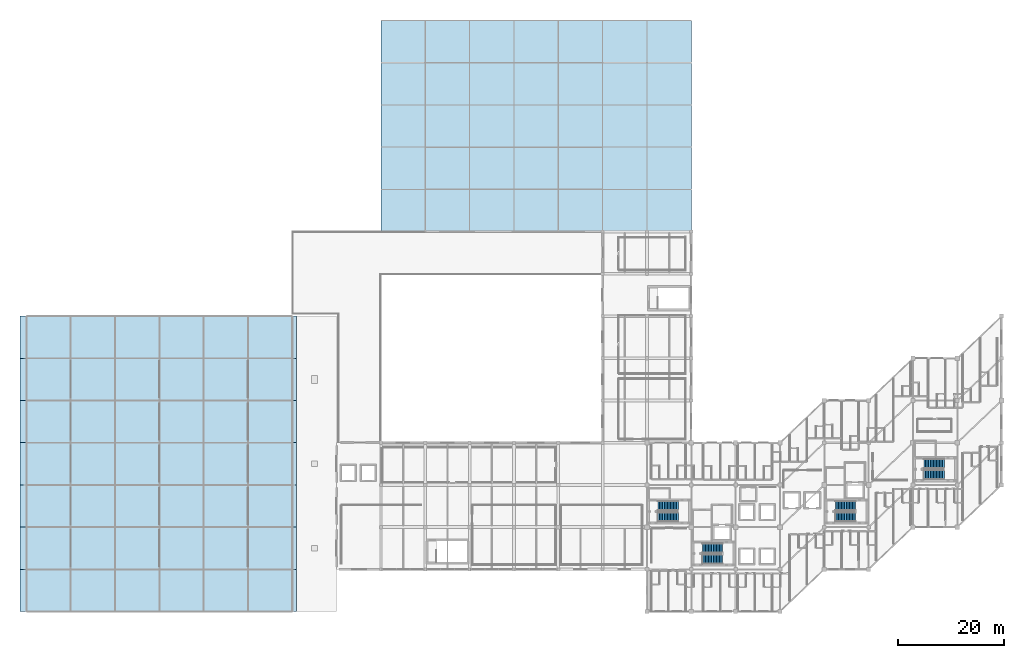
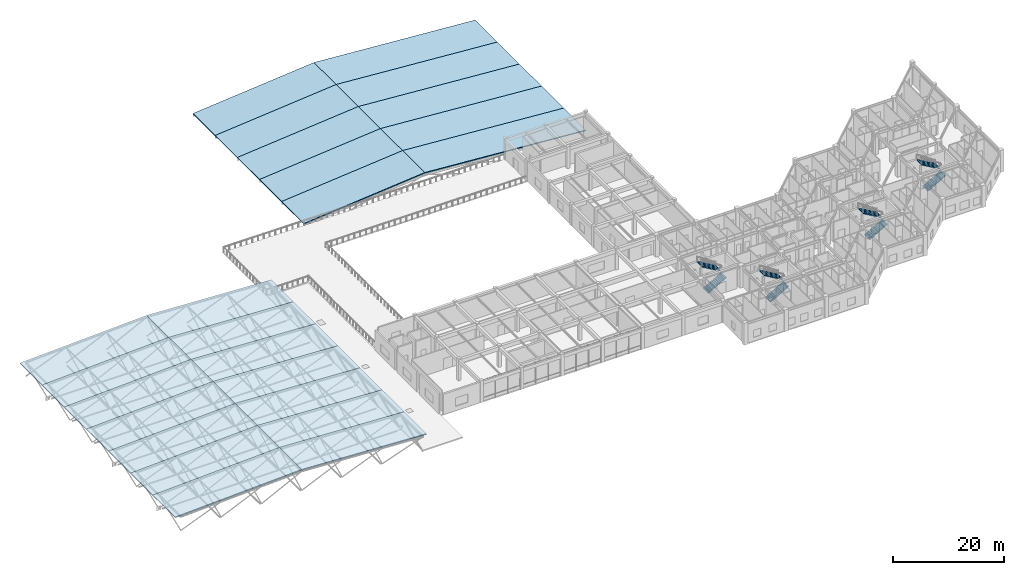
# One storey, part 33 of 37: 24 roofs, 8 stair flights, 4 elements without a shape of their own.
"""IFC4 building model written with IfcOpenShell, lengths in metres."""

from ifc_helpers import new_model, si_unit, direction, frame, origin, place, context, subcontext, project, spatial, polyline, outline, extrude, material, layer, layer_set, type_object, element, aggregate, save


model = new_model("IFC4")

# Units and contexts
model_context = context("Model", 3, precision=1e-05, world=origin(), true_north=direction((0.0, 1.0)))
body_context = subcontext(model_context, "Body", "Model", "MODEL_VIEW")
ifc_project = project(units=[si_unit("LENGTHUNIT", "METRE"), si_unit("AREAUNIT", "SQUARE_METRE"), si_unit("VOLUMEUNIT", "CUBIC_METRE"), si_unit("PLANEANGLEUNIT", "RADIAN"), si_unit("MASSUNIT", "GRAM", prefix="KILO")], contexts=[model_context])

# Site, building, storey
site_placement = place(None, origin())
site = spatial("IfcSite", under=ifc_project, at=site_placement, CompositionType="ELEMENT")
building_placement = place(site_placement, origin())
building = spatial("IfcBuilding", under=site, at=building_placement, Name="Naruveol Harbour Congress Hotel", CompositionType="ELEMENT")
storey_placement = place(building_placement, frame((0.0, 0.0, 16.199951171875)))
storey = spatial("IfcBuildingStorey", under=building, at=storey_placement, Name="L03", CompositionType="ELEMENT", Elevation=16.199951171875)

# Stair, stair flights
ifc_material_1 = material(Name="Concrete C40/50", Category="concrete")
stair_type = type_object("IfcStairType", Name="RC DOG LEG ESCAPE STAIR 1800W H4800", PredefinedType="HALF_TURN_STAIR", material=ifc_material_1)
stair_1_placement = place(storey_placement, origin())
stair_1 = element("IfcStair", 1, at=stair_1_placement, inside=storey, type_object=stair_type, Name="Special Escape Stair ST1 L03 to L04", PredefinedType="HALF_TURN_STAIR")
ifc_material_2 = material(Name="Concrete C40/50", Category="concrete")
stair_flight_type = type_object("IfcStairFlightType", Name="RC STRAIGHT STAIR FLIGHT 1800W R14", PredefinedType="STRAIGHT", material=ifc_material_2)
stair_flight_1_placement = place(storey_placement, frame((128.10009765625, 9.919921875, 0.0), z_axis=(0.0, 0.0, 1.0), x_axis=(1.0, 0.0, 0.0)))
stair_flight_1 = element("IfcStairFlight", 2, at=stair_flight_1_placement, type_object=stair_flight_type, Name="ST1 L03 lower flight", NumberOfRisers=14, NumberOfTreads=13, PredefinedType="STRAIGHT", RiserHeight=0.171429, TreadLength=0.295, context=body_context, shape_type="SweptSolid", body=[
    extrude(outline(polyline([(0.0, 0.0), (0.0, 0.17138671875), (0.294921875, 0.17138671875), (0.294921875, 0.3427734375), (0.590087890625, 0.3427734375), (0.590087890625, 0.514404296875), (0.885009765625, 0.514404296875), (0.885009765625, 0.685791015625), (1.179931640625, 0.685791015625), (1.179931640625, 0.857177734375), (1.47509765625, 0.857177734375), (1.47509765625, 1.028564453125), (1.77001953125, 1.028564453125), (1.77001953125, 1.199951171875), (2.06494140625, 1.199951171875), (2.06494140625, 1.371337890625), (2.360107421875, 1.371337890625), (2.360107421875, 1.54296875), (2.655029296875, 1.54296875), (2.655029296875, 1.71435546875), (2.949951171875, 1.71435546875), (2.949951171875, 1.8857421875), (3.2451171875, 1.8857421875), (3.2451171875, 2.05712890625), (3.5400390625, 2.05712890625), (3.5400390625, 2.228515625), (3.8349609375, 2.228515625), (3.8349609375, 2.39990234375), (3.8349609375, 2.043701171875), (0.318359375, 0.0), (0.0, 0.0)])), frame((0.0, 0.89990234375, 0.0), z_axis=(0.0, -1.0, 0.0), x_axis=(1.0, 0.0, 0.0)), (0.0, 0.0, 1.0), 1.800048828125),
])
stair_flight_2_placement = place(storey_placement, frame((131.93505859375, 12.0400390625, 2.400146484375), z_axis=(0.0, 0.0, 1.0), x_axis=(-1.0, 0.0, 0.0)))
stair_flight_2 = element("IfcStairFlight", 3, at=stair_flight_2_placement, type_object=stair_flight_type, Name="ST1 L03 upper flight", NumberOfRisers=14, NumberOfTreads=13, PredefinedType="STRAIGHT", RiserHeight=0.171429, TreadLength=0.295, context=body_context, shape_type="SweptSolid", body=[
    extrude(outline(polyline([(0.0, 0.0), (0.0, 0.17138671875), (0.294921875, 0.17138671875), (0.294921875, 0.3427734375), (0.590087890625, 0.3427734375), (0.590087890625, 0.514404296875), (0.885009765625, 0.514404296875), (0.885009765625, 0.685791015625), (1.179931640625, 0.685791015625), (1.179931640625, 0.857177734375), (1.47509765625, 0.857177734375), (1.47509765625, 1.028564453125), (1.77001953125, 1.028564453125), (1.77001953125, 1.199951171875), (2.06494140625, 1.199951171875), (2.06494140625, 1.371337890625), (2.360107421875, 1.371337890625), (2.360107421875, 1.54296875), (2.655029296875, 1.54296875), (2.655029296875, 1.71435546875), (2.949951171875, 1.71435546875), (2.949951171875, 1.8857421875), (3.2451171875, 1.8857421875), (3.2451171875, 2.05712890625), (3.5400390625, 2.05712890625), (3.5400390625, 2.228515625), (3.8349609375, 2.228515625), (3.8349609375, 2.39990234375), (3.8349609375, 2.043701171875), (0.318359375, 0.0), (0.0, 0.0)])), frame((0.0, 0.89990234375, 0.0), z_axis=(0.0, -1.0, 0.0), x_axis=(1.0, 0.0, 0.0)), (0.0, 0.0, 1.0), 1.800048828125),
])
aggregate(stair_1, [stair_flight_1, stair_flight_2])

stair_2_placement = place(storey_placement, origin())
stair_2 = element("IfcStair", 4, at=stair_2_placement, inside=storey, type_object=stair_type, Name="Special Escape Stair ST2 L03 to L04", PredefinedType="HALF_TURN_STAIR")
stair_flight_3_placement = place(storey_placement, frame((153.300048828125, 17.919921875, 0.0), z_axis=(0.0, 0.0, 1.0), x_axis=(1.0, 0.0, 0.0)))
stair_flight_3 = element("IfcStairFlight", 5, at=stair_flight_3_placement, type_object=stair_flight_type, Name="ST2 L03 lower flight", NumberOfRisers=14, NumberOfTreads=13, PredefinedType="STRAIGHT", RiserHeight=0.171429, TreadLength=0.295, context=body_context, shape_type="SweptSolid", body=[
    extrude(outline(polyline([(0.0, 0.0), (0.0, 0.17138671875), (0.294921875, 0.17138671875), (0.294921875, 0.3427734375), (0.590087890625, 0.3427734375), (0.590087890625, 0.514404296875), (0.885009765625, 0.514404296875), (0.885009765625, 0.685791015625), (1.179931640625, 0.685791015625), (1.179931640625, 0.857177734375), (1.47509765625, 0.857177734375), (1.47509765625, 1.028564453125), (1.77001953125, 1.028564453125), (1.77001953125, 1.199951171875), (2.06494140625, 1.199951171875), (2.06494140625, 1.371337890625), (2.360107421875, 1.371337890625), (2.360107421875, 1.54296875), (2.655029296875, 1.54296875), (2.655029296875, 1.71435546875), (2.949951171875, 1.71435546875), (2.949951171875, 1.8857421875), (3.2451171875, 1.8857421875), (3.2451171875, 2.05712890625), (3.5400390625, 2.05712890625), (3.5400390625, 2.228515625), (3.8349609375, 2.228515625), (3.8349609375, 2.39990234375), (3.8349609375, 2.043701171875), (0.318359375, 0.0), (0.0, 0.0)])), frame((0.0, 0.89990234375, 0.0), z_axis=(0.0, -1.0, 0.0), x_axis=(1.0, 0.0, 0.0)), (0.0, 0.0, 1.0), 1.800048828125),
])
stair_flight_4_placement = place(storey_placement, frame((157.135009765625, 20.0400390625, 2.400146484375), z_axis=(0.0, 0.0, 1.0), x_axis=(-1.0, 0.0, 0.0)))
stair_flight_4 = element("IfcStairFlight", 6, at=stair_flight_4_placement, type_object=stair_flight_type, Name="ST2 L03 upper flight", NumberOfRisers=14, NumberOfTreads=13, PredefinedType="STRAIGHT", RiserHeight=0.171429, TreadLength=0.295, context=body_context, shape_type="SweptSolid", body=[
    extrude(outline(polyline([(0.0, 0.0), (0.0, 0.17138671875), (0.294921875, 0.17138671875), (0.294921875, 0.3427734375), (0.590087890625, 0.3427734375), (0.590087890625, 0.514404296875), (0.885009765625, 0.514404296875), (0.885009765625, 0.685791015625), (1.179931640625, 0.685791015625), (1.179931640625, 0.857177734375), (1.47509765625, 0.857177734375), (1.47509765625, 1.028564453125), (1.77001953125, 1.028564453125), (1.77001953125, 1.199951171875), (2.06494140625, 1.199951171875), (2.06494140625, 1.371337890625), (2.360107421875, 1.371337890625), (2.360107421875, 1.54296875), (2.655029296875, 1.54296875), (2.655029296875, 1.71435546875), (2.949951171875, 1.71435546875), (2.949951171875, 1.8857421875), (3.2451171875, 1.8857421875), (3.2451171875, 2.05712890625), (3.5400390625, 2.05712890625), (3.5400390625, 2.228515625), (3.8349609375, 2.228515625), (3.8349609375, 2.39990234375), (3.8349609375, 2.043701171875), (0.318359375, 0.0), (0.0, 0.0)])), frame((0.0, 0.89990234375, 0.0), z_axis=(0.0, -1.0, 0.0), x_axis=(1.0, 0.0, 0.0)), (0.0, 0.0, 1.0), 1.800048828125),
])
aggregate(stair_2, [stair_flight_3, stair_flight_4])

stair_3_placement = place(storey_placement, origin())
stair_3 = element("IfcStair", 7, at=stair_3_placement, inside=storey, type_object=stair_type, Name="Special Escape Stair ST3 L03 to L04", PredefinedType="HALF_TURN_STAIR")
stair_flight_5_placement = place(storey_placement, frame((119.699951171875, 17.919921875, 0.0), z_axis=(0.0, 0.0, 1.0), x_axis=(1.0, 0.0, 0.0)))
stair_flight_5 = element("IfcStairFlight", 8, at=stair_flight_5_placement, type_object=stair_flight_type, Name="ST3 L03 lower flight", NumberOfRisers=14, NumberOfTreads=13, PredefinedType="STRAIGHT", RiserHeight=0.171429, TreadLength=0.295, context=body_context, shape_type="SweptSolid", body=[
    extrude(outline(polyline([(0.0, 0.0), (0.0, 0.17138671875), (0.294921875, 0.17138671875), (0.294921875, 0.3427734375), (0.590087890625, 0.3427734375), (0.590087890625, 0.514404296875), (0.885009765625, 0.514404296875), (0.885009765625, 0.685791015625), (1.179931640625, 0.685791015625), (1.179931640625, 0.857177734375), (1.47509765625, 0.857177734375), (1.47509765625, 1.028564453125), (1.77001953125, 1.028564453125), (1.77001953125, 1.199951171875), (2.06494140625, 1.199951171875), (2.06494140625, 1.371337890625), (2.360107421875, 1.371337890625), (2.360107421875, 1.54296875), (2.655029296875, 1.54296875), (2.655029296875, 1.71435546875), (2.949951171875, 1.71435546875), (2.949951171875, 1.8857421875), (3.2451171875, 1.8857421875), (3.2451171875, 2.05712890625), (3.5400390625, 2.05712890625), (3.5400390625, 2.228515625), (3.8349609375, 2.228515625), (3.8349609375, 2.39990234375), (3.8349609375, 2.043701171875), (0.318359375, 0.0), (0.0, 0.0)])), frame((0.0, 0.89990234375, 0.0), z_axis=(0.0, -1.0, 0.0), x_axis=(1.0, 0.0, 0.0)), (0.0, 0.0, 1.0), 1.800048828125),
])
stair_flight_6_placement = place(storey_placement, frame((123.534912109375, 20.0400390625, 2.400146484375), z_axis=(0.0, 0.0, 1.0), x_axis=(-1.0, 0.0, 0.0)))
stair_flight_6 = element("IfcStairFlight", 9, at=stair_flight_6_placement, type_object=stair_flight_type, Name="ST3 L03 upper flight", NumberOfRisers=14, NumberOfTreads=13, PredefinedType="STRAIGHT", RiserHeight=0.171429, TreadLength=0.295, context=body_context, shape_type="SweptSolid", body=[
    extrude(outline(polyline([(0.0, 0.0), (0.0, 0.17138671875), (0.294921875, 0.17138671875), (0.294921875, 0.3427734375), (0.590087890625, 0.3427734375), (0.590087890625, 0.514404296875), (0.885009765625, 0.514404296875), (0.885009765625, 0.685791015625), (1.179931640625, 0.685791015625), (1.179931640625, 0.857177734375), (1.47509765625, 0.857177734375), (1.47509765625, 1.028564453125), (1.77001953125, 1.028564453125), (1.77001953125, 1.199951171875), (2.06494140625, 1.199951171875), (2.06494140625, 1.371337890625), (2.360107421875, 1.371337890625), (2.360107421875, 1.54296875), (2.655029296875, 1.54296875), (2.655029296875, 1.71435546875), (2.949951171875, 1.71435546875), (2.949951171875, 1.8857421875), (3.2451171875, 1.8857421875), (3.2451171875, 2.05712890625), (3.5400390625, 2.05712890625), (3.5400390625, 2.228515625), (3.8349609375, 2.228515625), (3.8349609375, 2.39990234375), (3.8349609375, 2.043701171875), (0.318359375, 0.0), (0.0, 0.0)])), frame((0.0, 0.89990234375, 0.0), z_axis=(0.0, -1.0, 0.0), x_axis=(1.0, 0.0, 0.0)), (0.0, 0.0, 1.0), 1.800048828125),
])
aggregate(stair_3, [stair_flight_5, stair_flight_6])

stair_4_placement = place(storey_placement, origin())
stair_4 = element("IfcStair", 10, at=stair_4_placement, inside=storey, type_object=stair_type, Name="Special Escape Stair ST4 L03 to L04", PredefinedType="HALF_TURN_STAIR")
stair_flight_7_placement = place(storey_placement, frame((170.10009765625, 25.919921875, 0.0), z_axis=(0.0, 0.0, 1.0), x_axis=(1.0, 0.0, 0.0)))
stair_flight_7 = element("IfcStairFlight", 11, at=stair_flight_7_placement, type_object=stair_flight_type, Name="ST4 L03 lower flight", NumberOfRisers=14, NumberOfTreads=13, PredefinedType="STRAIGHT", RiserHeight=0.171429, TreadLength=0.295, context=body_context, shape_type="SweptSolid", body=[
    extrude(outline(polyline([(0.0, 0.0), (0.0, 0.17138671875), (0.294921875, 0.17138671875), (0.294921875, 0.3427734375), (0.590087890625, 0.3427734375), (0.590087890625, 0.514404296875), (0.885009765625, 0.514404296875), (0.885009765625, 0.685791015625), (1.179931640625, 0.685791015625), (1.179931640625, 0.857177734375), (1.47509765625, 0.857177734375), (1.47509765625, 1.028564453125), (1.77001953125, 1.028564453125), (1.77001953125, 1.199951171875), (2.06494140625, 1.199951171875), (2.06494140625, 1.371337890625), (2.360107421875, 1.371337890625), (2.360107421875, 1.54296875), (2.655029296875, 1.54296875), (2.655029296875, 1.71435546875), (2.949951171875, 1.71435546875), (2.949951171875, 1.8857421875), (3.2451171875, 1.8857421875), (3.2451171875, 2.05712890625), (3.5400390625, 2.05712890625), (3.5400390625, 2.228515625), (3.8349609375, 2.228515625), (3.8349609375, 2.39990234375), (3.8349609375, 2.043701171875), (0.318359375, 0.0), (0.0, 0.0)])), frame((0.0, 0.89990234375, 0.0), z_axis=(0.0, -1.0, 0.0), x_axis=(1.0, 0.0, 0.0)), (0.0, 0.0, 1.0), 1.800048828125),
])
stair_flight_8_placement = place(storey_placement, frame((173.93505859375, 28.0400390625, 2.400146484375), z_axis=(0.0, 0.0, 1.0), x_axis=(-1.0, 0.0, 0.0)))
stair_flight_8 = element("IfcStairFlight", 12, at=stair_flight_8_placement, type_object=stair_flight_type, Name="ST4 L03 upper flight", NumberOfRisers=14, NumberOfTreads=13, PredefinedType="STRAIGHT", RiserHeight=0.171429, TreadLength=0.295, context=body_context, shape_type="SweptSolid", body=[
    extrude(outline(polyline([(0.0, 0.0), (0.0, 0.17138671875), (0.294921875, 0.17138671875), (0.294921875, 0.3427734375), (0.590087890625, 0.3427734375), (0.590087890625, 0.514404296875), (0.885009765625, 0.514404296875), (0.885009765625, 0.685791015625), (1.179931640625, 0.685791015625), (1.179931640625, 0.857177734375), (1.47509765625, 0.857177734375), (1.47509765625, 1.028564453125), (1.77001953125, 1.028564453125), (1.77001953125, 1.199951171875), (2.06494140625, 1.199951171875), (2.06494140625, 1.371337890625), (2.360107421875, 1.371337890625), (2.360107421875, 1.54296875), (2.655029296875, 1.54296875), (2.655029296875, 1.71435546875), (2.949951171875, 1.71435546875), (2.949951171875, 1.8857421875), (3.2451171875, 1.8857421875), (3.2451171875, 2.05712890625), (3.5400390625, 2.05712890625), (3.5400390625, 2.228515625), (3.8349609375, 2.228515625), (3.8349609375, 2.39990234375), (3.8349609375, 2.043701171875), (0.318359375, 0.0), (0.0, 0.0)])), frame((0.0, 0.89990234375, 0.0), z_axis=(0.0, -1.0, 0.0), x_axis=(1.0, 0.0, 0.0)), (0.0, 0.0, 1.0), 1.800048828125),
])
aggregate(stair_4, [stair_flight_7, stair_flight_8])

# Roofs
ifc_material_3 = material(Name="Steel SN490", Category="steel")
ifc_layer_1 = layer(ifc_material_3, 0.199951171875)
ifc_layer_set_1 = layer_set([ifc_layer_1], Name="Steel SN490")
roof_type_1 = type_object("IfcRoofType", Name="FOLDED STANDING SEAM GABLE ROOF 200", PredefinedType="GABLE_ROOF", material=ifc_layer_set_1)
roof_1_placement = place(storey_placement, frame((67.199951171875, 72.0, 0.449951171875), z_axis=(-0.09481500936, 0.0, 0.995494909078), x_axis=(0.995494909078, 0.0, 0.09481500936)))
element("IfcRoof", 13, at=roof_1_placement, inside=storey, type_object=roof_type_1, Name="Grand Ballroom folded gable roof west bay 1", PredefinedType="GABLE_ROOF", context=body_context, shape_type="SweptSolid", body=[
    extrude(outline(polyline([(0.0, 0.0), (25.313993011995205, 0.0), (25.313993011995205, 8.0), (0.0, 8.0), (0.0, 0.0)])), origin(), (0.0, 0.0, -1.0), 0.199951171875),
])
roof_2_placement = place(storey_placement, frame((92.39990234375, 72.0, 2.85009765625), z_axis=(0.071251170451, 0.0, 0.997458405503), x_axis=(0.997458405503, 0.0, -0.071251170451)))
element("IfcRoof", 14, at=roof_2_placement, inside=storey, type_object=roof_type_1, Name="Grand Ballroom folded gable roof east bay 1", PredefinedType="GABLE_ROOF", context=body_context, shape_type="SweptSolid", body=[
    extrude(outline(polyline([(0.0, 0.0), (33.68571307922684, 0.0), (33.68571307922684, 8.0), (0.0, 8.0), (0.0, 0.0)])), origin(), (0.0, 0.0, -1.0), 0.199951171875),
])
roof_3_placement = place(storey_placement, frame((67.199951171875, 80.0, 0.449951171875), z_axis=(-0.09481500936, 0.0, 0.995494909078), x_axis=(0.995494909078, 0.0, 0.09481500936)))
element("IfcRoof", 15, at=roof_3_placement, inside=storey, type_object=roof_type_1, Name="Grand Ballroom folded gable roof west bay 2", PredefinedType="GABLE_ROOF", context=body_context, shape_type="SweptSolid", body=[
    extrude(outline(polyline([(0.0, 0.0), (25.313993011995205, 0.0), (25.313993011995205, 8.0), (0.0, 8.0), (0.0, 0.0)])), origin(), (0.0, 0.0, -1.0), 0.199951171875),
])
roof_4_placement = place(storey_placement, frame((92.39990234375, 80.0, 2.85009765625), z_axis=(0.071251170451, 0.0, 0.997458405503), x_axis=(0.997458405503, 0.0, -0.071251170451)))
element("IfcRoof", 16, at=roof_4_placement, inside=storey, type_object=roof_type_1, Name="Grand Ballroom folded gable roof east bay 2", PredefinedType="GABLE_ROOF", context=body_context, shape_type="SweptSolid", body=[
    extrude(outline(polyline([(0.0, 0.0), (33.68571307922684, 0.0), (33.68571307922684, 8.0), (0.0, 8.0), (0.0, 0.0)])), origin(), (0.0, 0.0, -1.0), 0.199951171875),
])
roof_5_placement = place(storey_placement, frame((67.199951171875, 88.0, 0.449951171875), z_axis=(-0.09481500936, 0.0, 0.995494909078), x_axis=(0.995494909078, 0.0, 0.09481500936)))
element("IfcRoof", 17, at=roof_5_placement, inside=storey, type_object=roof_type_1, Name="Grand Ballroom folded gable roof west bay 3", PredefinedType="GABLE_ROOF", context=body_context, shape_type="SweptSolid", body=[
    extrude(outline(polyline([(0.0, 0.0), (25.313993011995205, 0.0), (25.313993011995205, 8.0), (0.0, 8.0), (0.0, 0.0)])), origin(), (0.0, 0.0, -1.0), 0.199951171875),
])
roof_6_placement = place(storey_placement, frame((92.39990234375, 88.0, 2.85009765625), z_axis=(0.071251170451, 0.0, 0.997458405503), x_axis=(0.997458405503, 0.0, -0.071251170451)))
element("IfcRoof", 18, at=roof_6_placement, inside=storey, type_object=roof_type_1, Name="Grand Ballroom folded gable roof east bay 3", PredefinedType="GABLE_ROOF", context=body_context, shape_type="SweptSolid", body=[
    extrude(outline(polyline([(0.0, 0.0), (33.68571307922684, 0.0), (33.68571307922684, 8.0), (0.0, 8.0), (0.0, 0.0)])), origin(), (0.0, 0.0, -1.0), 0.199951171875),
])
roof_7_placement = place(storey_placement, frame((67.199951171875, 96.0, 0.449951171875), z_axis=(-0.09481500936, 0.0, 0.995494909078), x_axis=(0.995494909078, 0.0, 0.09481500936)))
element("IfcRoof", 19, at=roof_7_placement, inside=storey, type_object=roof_type_1, Name="Grand Ballroom folded gable roof west bay 4", PredefinedType="GABLE_ROOF", context=body_context, shape_type="SweptSolid", body=[
    extrude(outline(polyline([(0.0, 0.0), (25.313993011995205, 0.0), (25.313993011995205, 8.0), (0.0, 8.0), (0.0, 0.0)])), origin(), (0.0, 0.0, -1.0), 0.199951171875),
])
roof_8_placement = place(storey_placement, frame((92.39990234375, 96.0, 2.85009765625), z_axis=(0.071251170451, 0.0, 0.997458405503), x_axis=(0.997458405503, 0.0, -0.071251170451)))
element("IfcRoof", 20, at=roof_8_placement, inside=storey, type_object=roof_type_1, Name="Grand Ballroom folded gable roof east bay 4", PredefinedType="GABLE_ROOF", context=body_context, shape_type="SweptSolid", body=[
    extrude(outline(polyline([(0.0, 0.0), (33.68571307922684, 0.0), (33.68571307922684, 8.0), (0.0, 8.0), (0.0, 0.0)])), origin(), (0.0, 0.0, -1.0), 0.199951171875),
])
roof_9_placement = place(storey_placement, frame((67.199951171875, 104.0, 0.449951171875), z_axis=(-0.09481500936, 0.0, 0.995494909078), x_axis=(0.995494909078, 0.0, 0.09481500936)))
element("IfcRoof", 21, at=roof_9_placement, inside=storey, type_object=roof_type_1, Name="Grand Ballroom folded gable roof west bay 5", PredefinedType="GABLE_ROOF", context=body_context, shape_type="SweptSolid", body=[
    extrude(outline(polyline([(0.0, 0.0), (25.313993011995205, 0.0), (25.313993011995205, 8.0), (0.0, 8.0), (0.0, 0.0)])), origin(), (0.0, 0.0, -1.0), 0.199951171875),
])
roof_10_placement = place(storey_placement, frame((92.39990234375, 104.0, 2.85009765625), z_axis=(0.071251170451, 0.0, 0.997458405503), x_axis=(0.997458405503, 0.0, -0.071251170451)))
element("IfcRoof", 22, at=roof_10_placement, inside=storey, type_object=roof_type_1, Name="Grand Ballroom folded gable roof east bay 5", PredefinedType="GABLE_ROOF", context=body_context, shape_type="SweptSolid", body=[
    extrude(outline(polyline([(0.0, 0.0), (33.68571307922684, 0.0), (33.68571307922684, 8.0), (0.0, 8.0), (0.0, 0.0)])), origin(), (0.0, 0.0, -1.0), 0.199951171875),
])
ifc_material_4 = material(Name="Steel SN490", Category="steel")
ifc_layer_2 = layer(ifc_material_4, 0.219970703125)
ifc_layer_set_2 = layer_set([ifc_layer_2], Name="Steel SN490")
roof_type_2 = type_object("IfcRoofType", Name="SPACE FRAME INSULATED PAVILION ROOF 220", PredefinedType="PAVILION_ROOF", material=ifc_layer_set_2)
roof_11_placement = place(storey_placement, frame((-1.199951171875, 0.0, 3.363037109375), z_axis=(-0.04756295503, 0.0, 0.998868242217), x_axis=(0.998868242217, 0.0, 0.04756295503)))
element("IfcRoof", 23, at=roof_11_placement, inside=storey, type_object=roof_type_2, Name="Congress Hall space-frame pavilion roof west bay 1", PredefinedType="PAVILION_ROOF", context=body_context, shape_type="SweptSolid", body=[
    extrude(outline(polyline([(0.0, 0.0), (26.429814492015556, 0.0), (26.429814492015556, 8.0), (0.0, 8.0), (0.0, 0.0)])), origin(), (0.0, 0.0, -1.0), 0.219970703125),
])
roof_12_placement = place(storey_placement, frame((25.199951171875, 0.0, 4.6201171875), z_axis=(0.04757227945, 0.0, 0.998867798173), x_axis=(0.998867798173, 0.0, -0.04757227945)))
element("IfcRoof", 24, at=roof_12_placement, inside=storey, type_object=roof_type_2, Name="Congress Hall space-frame pavilion roof east bay 1", PredefinedType="PAVILION_ROOF", context=body_context, shape_type="SweptSolid", body=[
    extrude(outline(polyline([(0.0, 0.0), (26.02947061417311, 0.0), (26.02947061417311, 8.000000000000002), (0.0, 8.000000000000002), (0.0, 0.0)])), origin(), (0.0, 0.0, -1.0), 0.219970703125),
])
roof_13_placement = place(storey_placement, frame((-1.199951171875, 8.0, 3.363037109375), z_axis=(-0.04756295503, 0.0, 0.998868242217), x_axis=(0.998868242217, 0.0, 0.04756295503)))
element("IfcRoof", 25, at=roof_13_placement, inside=storey, type_object=roof_type_2, Name="Congress Hall space-frame pavilion roof west bay 2", PredefinedType="PAVILION_ROOF", context=body_context, shape_type="SweptSolid", body=[
    extrude(outline(polyline([(0.0, 0.0), (26.429814492015556, 0.0), (26.429814492015556, 8.0), (0.0, 8.0), (0.0, 0.0)])), origin(), (0.0, 0.0, -1.0), 0.219970703125),
])
roof_14_placement = place(storey_placement, frame((25.199951171875, 8.0, 4.6201171875), z_axis=(0.04757227945, 0.0, 0.998867798173), x_axis=(0.998867798173, 0.0, -0.04757227945)))
element("IfcRoof", 26, at=roof_14_placement, inside=storey, type_object=roof_type_2, Name="Congress Hall space-frame pavilion roof east bay 2", PredefinedType="PAVILION_ROOF", context=body_context, shape_type="SweptSolid", body=[
    extrude(outline(polyline([(0.0, 0.0), (26.02947061417311, 0.0), (26.02947061417311, 8.000000000000002), (0.0, 8.000000000000002), (0.0, 0.0)])), origin(), (0.0, 0.0, -1.0), 0.219970703125),
])
roof_15_placement = place(storey_placement, frame((-1.199951171875, 16.0, 3.363037109375), z_axis=(-0.04756295503, 0.0, 0.998868242217), x_axis=(0.998868242217, 0.0, 0.04756295503)))
element("IfcRoof", 27, at=roof_15_placement, inside=storey, type_object=roof_type_2, Name="Congress Hall space-frame pavilion roof west bay 3", PredefinedType="PAVILION_ROOF", context=body_context, shape_type="SweptSolid", body=[
    extrude(outline(polyline([(0.0, 0.0), (26.429814492015556, 0.0), (26.429814492015556, 8.0), (0.0, 8.0), (0.0, 0.0)])), origin(), (0.0, 0.0, -1.0), 0.219970703125),
])
roof_16_placement = place(storey_placement, frame((25.199951171875, 16.0, 4.6201171875), z_axis=(0.04757227945, 0.0, 0.998867798173), x_axis=(0.998867798173, 0.0, -0.04757227945)))
element("IfcRoof", 28, at=roof_16_placement, inside=storey, type_object=roof_type_2, Name="Congress Hall space-frame pavilion roof east bay 3", PredefinedType="PAVILION_ROOF", context=body_context, shape_type="SweptSolid", body=[
    extrude(outline(polyline([(0.0, 0.0), (26.02947061417311, 0.0), (26.02947061417311, 8.000000000000002), (0.0, 8.000000000000002), (0.0, 0.0)])), origin(), (0.0, 0.0, -1.0), 0.219970703125),
])
roof_17_placement = place(storey_placement, frame((-1.199951171875, 24.0, 3.363037109375), z_axis=(-0.04756295503, 0.0, 0.998868242217), x_axis=(0.998868242217, 0.0, 0.04756295503)))
element("IfcRoof", 29, at=roof_17_placement, inside=storey, type_object=roof_type_2, Name="Congress Hall space-frame pavilion roof west bay 4", PredefinedType="PAVILION_ROOF", context=body_context, shape_type="SweptSolid", body=[
    extrude(outline(polyline([(0.0, 0.0), (26.429814492015556, 0.0), (26.429814492015556, 8.0), (0.0, 8.0), (0.0, 0.0)])), origin(), (0.0, 0.0, -1.0), 0.219970703125),
])
roof_18_placement = place(storey_placement, frame((25.199951171875, 24.0, 4.6201171875), z_axis=(0.04757227945, 0.0, 0.998867798173), x_axis=(0.998867798173, 0.0, -0.04757227945)))
element("IfcRoof", 30, at=roof_18_placement, inside=storey, type_object=roof_type_2, Name="Congress Hall space-frame pavilion roof east bay 4", PredefinedType="PAVILION_ROOF", context=body_context, shape_type="SweptSolid", body=[
    extrude(outline(polyline([(0.0, 0.0), (26.02947061417311, 0.0), (26.02947061417311, 8.000000000000002), (0.0, 8.000000000000002), (0.0, 0.0)])), origin(), (0.0, 0.0, -1.0), 0.219970703125),
])
roof_19_placement = place(storey_placement, frame((-1.199951171875, 32.0, 3.363037109375), z_axis=(-0.04756295503, 0.0, 0.998868242217), x_axis=(0.998868242217, 0.0, 0.04756295503)))
element("IfcRoof", 31, at=roof_19_placement, inside=storey, type_object=roof_type_2, Name="Congress Hall space-frame pavilion roof west bay 5", PredefinedType="PAVILION_ROOF", context=body_context, shape_type="SweptSolid", body=[
    extrude(outline(polyline([(0.0, 0.0), (26.429814492015556, 0.0), (26.429814492015556, 8.0), (0.0, 8.0), (0.0, 0.0)])), origin(), (0.0, 0.0, -1.0), 0.219970703125),
])
roof_20_placement = place(storey_placement, frame((25.199951171875, 32.0, 4.6201171875), z_axis=(0.04757227945, 0.0, 0.998867798173), x_axis=(0.998867798173, 0.0, -0.04757227945)))
element("IfcRoof", 32, at=roof_20_placement, inside=storey, type_object=roof_type_2, Name="Congress Hall space-frame pavilion roof east bay 5", PredefinedType="PAVILION_ROOF", context=body_context, shape_type="SweptSolid", body=[
    extrude(outline(polyline([(0.0, 0.0), (26.02947061417311, 0.0), (26.02947061417311, 8.000000000000002), (0.0, 8.000000000000002), (0.0, 0.0)])), origin(), (0.0, 0.0, -1.0), 0.219970703125),
])
roof_21_placement = place(storey_placement, frame((-1.199951171875, 40.0, 3.363037109375), z_axis=(-0.04756295503, 0.0, 0.998868242217), x_axis=(0.998868242217, 0.0, 0.04756295503)))
element("IfcRoof", 33, at=roof_21_placement, inside=storey, type_object=roof_type_2, Name="Congress Hall space-frame pavilion roof west bay 6", PredefinedType="PAVILION_ROOF", context=body_context, shape_type="SweptSolid", body=[
    extrude(outline(polyline([(0.0, 0.0), (26.429814492015556, 0.0), (26.429814492015556, 8.0), (0.0, 8.0), (0.0, 0.0)])), origin(), (0.0, 0.0, -1.0), 0.219970703125),
])
roof_22_placement = place(storey_placement, frame((25.199951171875, 40.0, 4.6201171875), z_axis=(0.04757227945, 0.0, 0.998867798173), x_axis=(0.998867798173, 0.0, -0.04757227945)))
element("IfcRoof", 34, at=roof_22_placement, inside=storey, type_object=roof_type_2, Name="Congress Hall space-frame pavilion roof east bay 6", PredefinedType="PAVILION_ROOF", context=body_context, shape_type="SweptSolid", body=[
    extrude(outline(polyline([(0.0, 0.0), (26.02947061417311, 0.0), (26.02947061417311, 8.000000000000002), (0.0, 8.000000000000002), (0.0, 0.0)])), origin(), (0.0, 0.0, -1.0), 0.219970703125),
])
roof_23_placement = place(storey_placement, frame((-1.199951171875, 48.0, 3.363037109375), z_axis=(-0.04756295503, 0.0, 0.998868242217), x_axis=(0.998868242217, 0.0, 0.04756295503)))
element("IfcRoof", 35, at=roof_23_placement, inside=storey, type_object=roof_type_2, Name="Congress Hall space-frame pavilion roof west bay 7", PredefinedType="PAVILION_ROOF", context=body_context, shape_type="SweptSolid", body=[
    extrude(outline(polyline([(0.0, 0.0), (26.429814492015556, 0.0), (26.429814492015556, 8.0), (0.0, 8.0), (0.0, 0.0)])), origin(), (0.0, 0.0, -1.0), 0.219970703125),
])
roof_24_placement = place(storey_placement, frame((25.199951171875, 48.0, 4.6201171875), z_axis=(0.04757227945, 0.0, 0.998867798173), x_axis=(0.998867798173, 0.0, -0.04757227945)))
element("IfcRoof", 36, at=roof_24_placement, inside=storey, type_object=roof_type_2, Name="Congress Hall space-frame pavilion roof east bay 7", PredefinedType="PAVILION_ROOF", context=body_context, shape_type="SweptSolid", body=[
    extrude(outline(polyline([(0.0, 0.0), (26.02947061417311, 0.0), (26.02947061417311, 8.000000000000002), (0.0, 8.000000000000002), (0.0, 0.0)])), origin(), (0.0, 0.0, -1.0), 0.219970703125),
])

save(model, "model.ifc")
